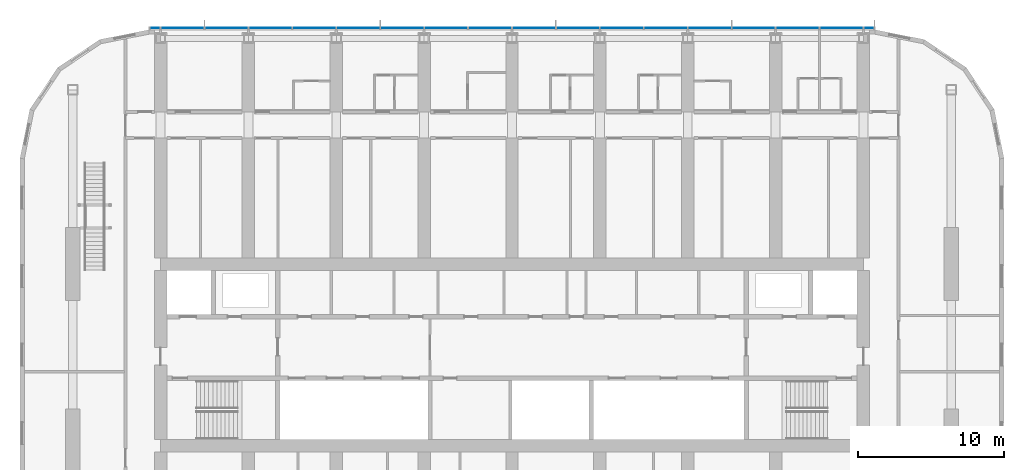
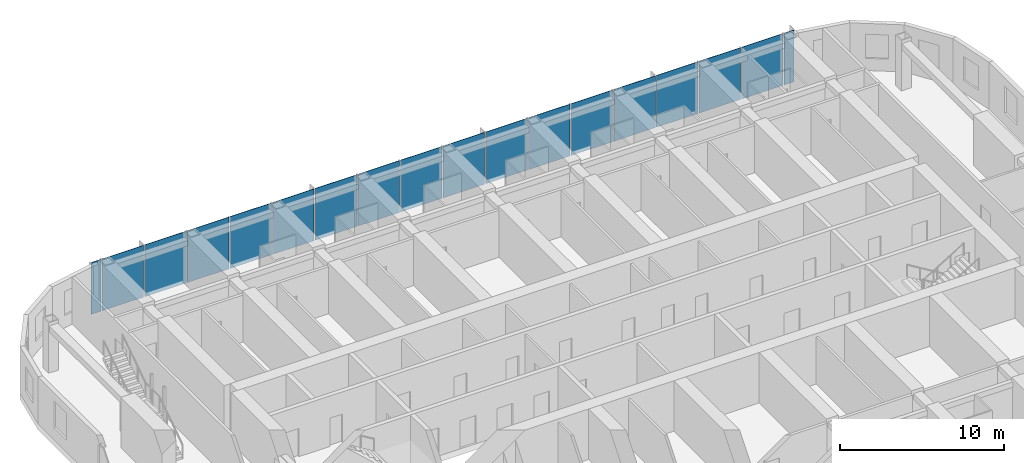
# One storey, part 13 of 29: 18 plates, 1 element without a shape of its own.
"""IFC4 building model written with IfcOpenShell, lengths in metres."""

from ifc_helpers import new_model, si_unit, direction, frame, origin, origin_2d, place, context, subcontext, project, spatial, rectangle, extrude, material, layer, layer_set, type_object, element, aggregate, save


model = new_model("IFC4")

# Units and contexts
model_context = context("Model", 3, precision=1e-05, world=origin(), true_north=direction((0.0, 1.0)))
body_context = subcontext(model_context, "Body", "Model", "MODEL_VIEW")
ifc_project = project(units=[si_unit("LENGTHUNIT", "METRE"), si_unit("AREAUNIT", "SQUARE_METRE"), si_unit("VOLUMEUNIT", "CUBIC_METRE"), si_unit("PLANEANGLEUNIT", "RADIAN"), si_unit("MASSUNIT", "GRAM", prefix="KILO")], contexts=[model_context])

# Site, building, storey
site_placement = place(None, origin())
site = spatial("IfcSite", under=ifc_project, at=site_placement, CompositionType="ELEMENT")
building_placement = place(site_placement, origin())
building = spatial("IfcBuilding", under=site, at=building_placement, Name="Orbita Commons", CompositionType="ELEMENT")
storey_placement = place(building_placement, frame((0.0, 0.0, 163.60009765625)))
storey = spatial("IfcBuildingStorey", under=building, at=storey_placement, Name="L40", CompositionType="ELEMENT", Elevation=163.60009765625)

# Curtain wall, plates
ifc_material_1 = material(Name="Anodised aluminium frame, pale silver", Category="aluminium")
curtain_wall_type = type_object("IfcCurtainWallType", Name="Unitised curtain wall CW-U, full-height vision", PredefinedType="NOTDEFINED", material=ifc_material_1)
curtain_wall_placement = place(storey_placement, origin())
curtain_wall = element("IfcCurtainWall", 1, at=curtain_wall_placement, inside=storey, type_object=curtain_wall_type, Name="Curtain wall north L40", PredefinedType="NOTDEFINED")
ifc_material_2 = material(Name="Clear double glazing", Category="glass")
ifc_layer = layer(ifc_material_2, 0.031982421875)
ifc_layer_set = layer_set([ifc_layer], Name="Clear double glazing")
plate_type = type_object("IfcPlateType", Name="Full-height vision panel, clear glazing 32", PredefinedType="CURTAIN_PANEL", material=ifc_layer_set)
plate_1_placement = place(storey_placement, frame((66.3798828125, 54.31005859375, -0.35009765625), z_axis=(0.0, 0.0, 1.0), x_axis=(-1.0, 0.0, 0.0)))
plate_1 = element("IfcPlate", 2, at=plate_1_placement, type_object=plate_type, Name="Panel 1.1 CW-L40-N", PredefinedType="CURTAIN_PANEL", context=body_context, shape_type="SweptSolid", body=[
    extrude(rectangle(XDim=0.679931640625, YDim=0.031982421875, at=origin_2d()), origin(), (0.0, 0.0, 1.0), 3.85009765625),
])
plate_2_placement = place(storey_placement, frame((64.5, 54.31005859375, -0.35009765625), z_axis=(0.0, 0.0, 1.0), x_axis=(-1.0, 0.0, 0.0)))
plate_2 = element("IfcPlate", 3, at=plate_2_placement, type_object=plate_type, Name="Panel 2.1 CW-L40-N", PredefinedType="CURTAIN_PANEL", context=body_context, shape_type="SweptSolid", body=[
    extrude(rectangle(XDim=2.919921875, YDim=0.031982421875, at=origin_2d()), origin(), (0.0, 0.0, 1.0), 3.85009765625),
])
plate_3_placement = place(storey_placement, frame((61.5, 54.31005859375, -0.35009765625), z_axis=(0.0, 0.0, 1.0), x_axis=(-1.0, 0.0, 0.0)))
plate_3 = element("IfcPlate", 4, at=plate_3_placement, type_object=plate_type, Name="Panel 3.1 CW-L40-N", PredefinedType="CURTAIN_PANEL", context=body_context, shape_type="SweptSolid", body=[
    extrude(rectangle(XDim=2.919921875, YDim=0.031982421875, at=origin_2d()), origin(), (0.0, 0.0, 1.0), 3.85009765625),
])
plate_4_placement = place(storey_placement, frame((58.5, 54.31005859375, -0.35009765625), z_axis=(0.0, 0.0, 1.0), x_axis=(-1.0, 0.0, 0.0)))
plate_4 = element("IfcPlate", 5, at=plate_4_placement, type_object=plate_type, Name="Panel 4.1 CW-L40-N", PredefinedType="CURTAIN_PANEL", context=body_context, shape_type="SweptSolid", body=[
    extrude(rectangle(XDim=2.919921875, YDim=0.031982421875, at=origin_2d()), origin(), (0.0, 0.0, 1.0), 3.85009765625),
])
plate_5_placement = place(storey_placement, frame((55.5, 54.31005859375, -0.35009765625), z_axis=(0.0, 0.0, 1.0), x_axis=(-1.0, 0.0, 0.0)))
plate_5 = element("IfcPlate", 6, at=plate_5_placement, type_object=plate_type, Name="Panel 5.1 CW-L40-N", PredefinedType="CURTAIN_PANEL", context=body_context, shape_type="SweptSolid", body=[
    extrude(rectangle(XDim=2.919921875, YDim=0.031982421875, at=origin_2d()), origin(), (0.0, 0.0, 1.0), 3.85009765625),
])
plate_6_placement = place(storey_placement, frame((52.5, 54.31005859375, -0.35009765625), z_axis=(0.0, 0.0, 1.0), x_axis=(-1.0, 0.0, 0.0)))
plate_6 = element("IfcPlate", 7, at=plate_6_placement, type_object=plate_type, Name="Panel 6.1 CW-L40-N", PredefinedType="CURTAIN_PANEL", context=body_context, shape_type="SweptSolid", body=[
    extrude(rectangle(XDim=2.919921875, YDim=0.031982421875, at=origin_2d()), origin(), (0.0, 0.0, 1.0), 3.85009765625),
])
plate_7_placement = place(storey_placement, frame((49.5, 54.31005859375, -0.35009765625), z_axis=(0.0, 0.0, 1.0), x_axis=(-1.0, 0.0, 0.0)))
plate_7 = element("IfcPlate", 8, at=plate_7_placement, type_object=plate_type, Name="Panel 7.1 CW-L40-N", PredefinedType="CURTAIN_PANEL", context=body_context, shape_type="SweptSolid", body=[
    extrude(rectangle(XDim=2.919921875, YDim=0.031982421875, at=origin_2d()), origin(), (0.0, 0.0, 1.0), 3.85009765625),
])
plate_8_placement = place(storey_placement, frame((46.5, 54.31005859375, -0.35009765625), z_axis=(0.0, 0.0, 1.0), x_axis=(-1.0, 0.0, 0.0)))
plate_8 = element("IfcPlate", 9, at=plate_8_placement, type_object=plate_type, Name="Panel 8.1 CW-L40-N", PredefinedType="CURTAIN_PANEL", context=body_context, shape_type="SweptSolid", body=[
    extrude(rectangle(XDim=2.919921875, YDim=0.031982421875, at=origin_2d()), origin(), (0.0, 0.0, 1.0), 3.85009765625),
])
plate_9_placement = place(storey_placement, frame((43.5, 54.31005859375, -0.35009765625), z_axis=(0.0, 0.0, 1.0), x_axis=(-1.0, 0.0, 0.0)))
plate_9 = element("IfcPlate", 10, at=plate_9_placement, type_object=plate_type, Name="Panel 9.1 CW-L40-N", PredefinedType="CURTAIN_PANEL", context=body_context, shape_type="SweptSolid", body=[
    extrude(rectangle(XDim=2.919921875, YDim=0.031982421875, at=origin_2d()), origin(), (0.0, 0.0, 1.0), 3.85009765625),
])
plate_10_placement = place(storey_placement, frame((40.5, 54.31005859375, -0.35009765625), z_axis=(0.0, 0.0, 1.0), x_axis=(-1.0, 0.0, 0.0)))
plate_10 = element("IfcPlate", 11, at=plate_10_placement, type_object=plate_type, Name="Panel 10.1 CW-L40-N", PredefinedType="CURTAIN_PANEL", context=body_context, shape_type="SweptSolid", body=[
    extrude(rectangle(XDim=2.919921875, YDim=0.031982421875, at=origin_2d()), origin(), (0.0, 0.0, 1.0), 3.85009765625),
])
plate_11_placement = place(storey_placement, frame((37.5, 54.31005859375, -0.35009765625), z_axis=(0.0, 0.0, 1.0), x_axis=(-1.0, 0.0, 0.0)))
plate_11 = element("IfcPlate", 12, at=plate_11_placement, type_object=plate_type, Name="Panel 11.1 CW-L40-N", PredefinedType="CURTAIN_PANEL", context=body_context, shape_type="SweptSolid", body=[
    extrude(rectangle(XDim=2.919921875, YDim=0.031982421875, at=origin_2d()), origin(), (0.0, 0.0, 1.0), 3.85009765625),
])
plate_12_placement = place(storey_placement, frame((34.5, 54.31005859375, -0.35009765625), z_axis=(0.0, 0.0, 1.0), x_axis=(-1.0, 0.0, 0.0)))
plate_12 = element("IfcPlate", 13, at=plate_12_placement, type_object=plate_type, Name="Panel 12.1 CW-L40-N", PredefinedType="CURTAIN_PANEL", context=body_context, shape_type="SweptSolid", body=[
    extrude(rectangle(XDim=2.919921875, YDim=0.031982421875, at=origin_2d()), origin(), (0.0, 0.0, 1.0), 3.85009765625),
])
plate_13_placement = place(storey_placement, frame((31.5, 54.31005859375, -0.35009765625), z_axis=(0.0, 0.0, 1.0), x_axis=(-1.0, 0.0, 0.0)))
plate_13 = element("IfcPlate", 14, at=plate_13_placement, type_object=plate_type, Name="Panel 13.1 CW-L40-N", PredefinedType="CURTAIN_PANEL", context=body_context, shape_type="SweptSolid", body=[
    extrude(rectangle(XDim=2.919921875, YDim=0.031982421875, at=origin_2d()), origin(), (0.0, 0.0, 1.0), 3.85009765625),
])
plate_14_placement = place(storey_placement, frame((28.5, 54.31005859375, -0.35009765625), z_axis=(0.0, 0.0, 1.0), x_axis=(-1.0, 0.0, 0.0)))
plate_14 = element("IfcPlate", 15, at=plate_14_placement, type_object=plate_type, Name="Panel 14.1 CW-L40-N", PredefinedType="CURTAIN_PANEL", context=body_context, shape_type="SweptSolid", body=[
    extrude(rectangle(XDim=2.919921875, YDim=0.031982421875, at=origin_2d()), origin(), (0.0, 0.0, 1.0), 3.85009765625),
])
plate_15_placement = place(storey_placement, frame((25.5, 54.31005859375, -0.35009765625), z_axis=(0.0, 0.0, 1.0), x_axis=(-1.0, 0.0, 0.0)))
plate_15 = element("IfcPlate", 16, at=plate_15_placement, type_object=plate_type, Name="Panel 15.1 CW-L40-N", PredefinedType="CURTAIN_PANEL", context=body_context, shape_type="SweptSolid", body=[
    extrude(rectangle(XDim=2.919921875, YDim=0.031982421875, at=origin_2d()), origin(), (0.0, 0.0, 1.0), 3.85009765625),
])
plate_16_placement = place(storey_placement, frame((22.5, 54.31005859375, -0.35009765625), z_axis=(0.0, 0.0, 1.0), x_axis=(-1.0, 0.0, 0.0)))
plate_16 = element("IfcPlate", 17, at=plate_16_placement, type_object=plate_type, Name="Panel 16.1 CW-L40-N", PredefinedType="CURTAIN_PANEL", context=body_context, shape_type="SweptSolid", body=[
    extrude(rectangle(XDim=2.919921875, YDim=0.031982421875, at=origin_2d()), origin(), (0.0, 0.0, 1.0), 3.85009765625),
])
plate_17_placement = place(storey_placement, frame((19.5, 54.31005859375, -0.35009765625), z_axis=(0.0, 0.0, 1.0), x_axis=(-1.0, 0.0, 0.0)))
plate_17 = element("IfcPlate", 18, at=plate_17_placement, type_object=plate_type, Name="Panel 17.1 CW-L40-N", PredefinedType="CURTAIN_PANEL", context=body_context, shape_type="SweptSolid", body=[
    extrude(rectangle(XDim=2.919921875, YDim=0.031982421875, at=origin_2d()), origin(), (0.0, 0.0, 1.0), 3.85009765625),
])
plate_18_placement = place(storey_placement, frame((17.6201171875, 54.31005859375, -0.35009765625), z_axis=(0.0, 0.0, 1.0), x_axis=(-1.0, 0.0, 0.0)))
plate_18 = element("IfcPlate", 19, at=plate_18_placement, type_object=plate_type, Name="Panel 18.1 CW-L40-N", PredefinedType="CURTAIN_PANEL", context=body_context, shape_type="SweptSolid", body=[
    extrude(rectangle(XDim=0.679931640625, YDim=0.031982421875, at=origin_2d()), origin(), (0.0, 0.0, 1.0), 3.85009765625),
])
aggregate(curtain_wall, [plate_1, plate_2, plate_3, plate_4, plate_5, plate_6, plate_7, plate_8, plate_9, plate_10, plate_11, plate_12, plate_13, plate_14, plate_15, plate_16, plate_17, plate_18])

save(model, "model.ifc")
